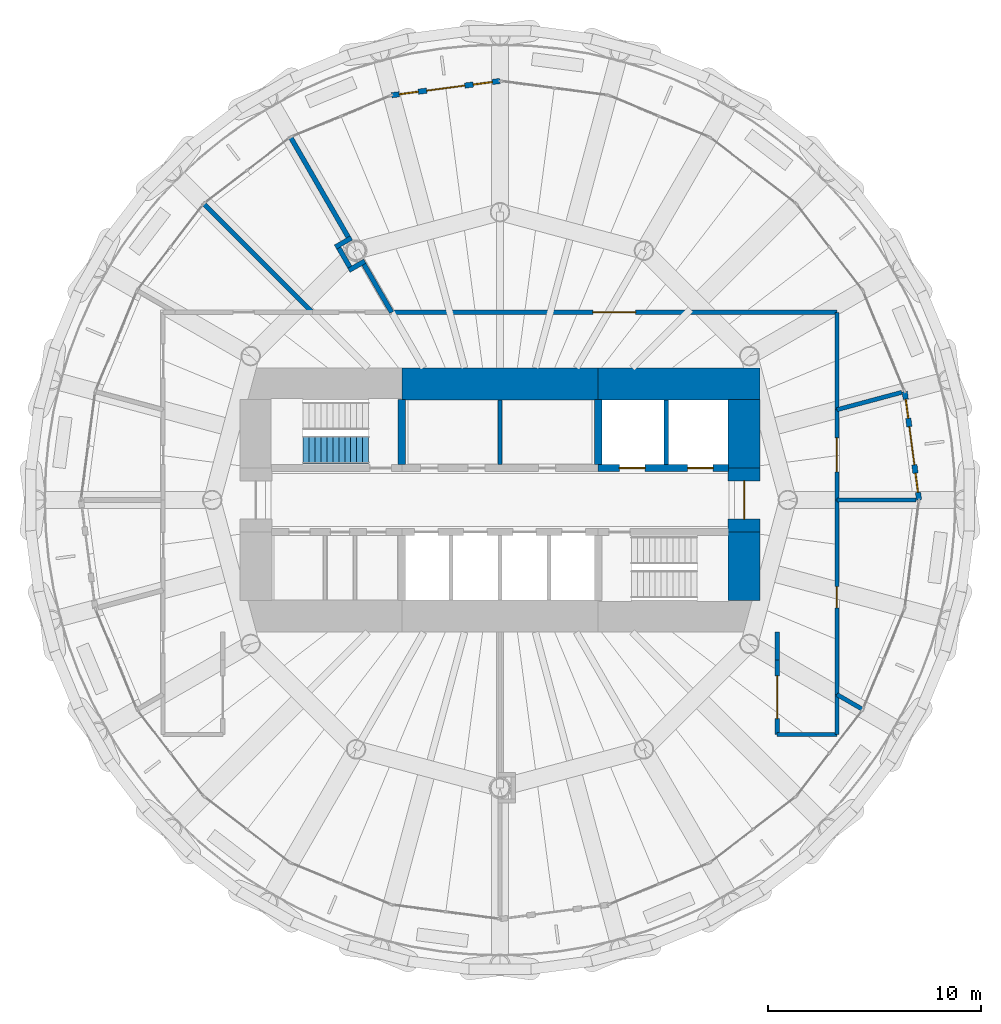
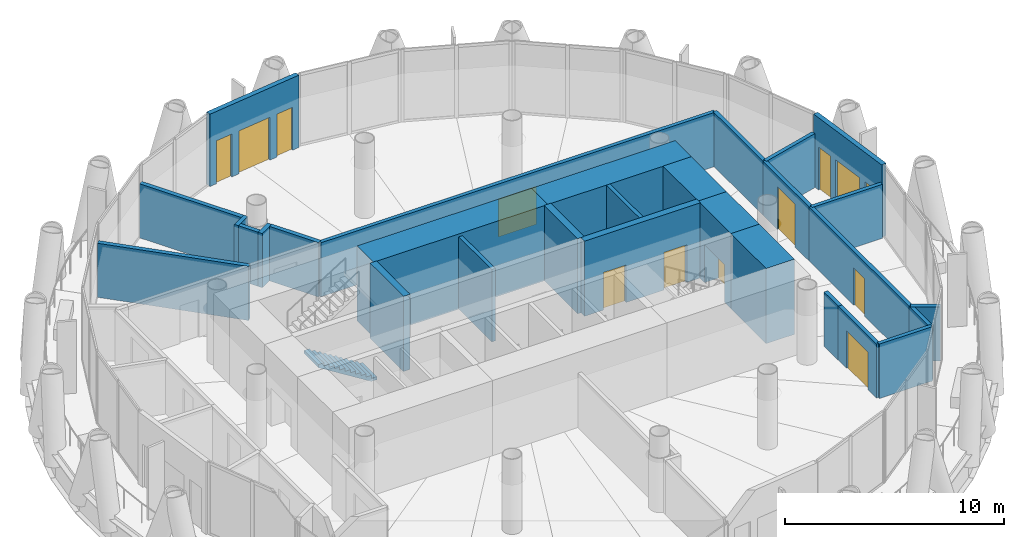
# One storey, part 10 of 15: 29 walls, 9 doors, 4 windows, 1 stair flight, 13 openings, 1 element without a shape of its own.
"""IFC4 building model written with IfcOpenShell, lengths in metres."""

from ifc_helpers import new_model, si_unit, direction, frame, frame_2d, origin, place, context, subcontext, project, spatial, polyline, rectangle, outline, extrude, material, layer, layer_set, type_object, element, fill, aggregate, save


model = new_model("IFC4")

# Units and contexts
model_context = context("Model", 3, precision=1e-05, world=origin(), true_north=direction((0.0, 1.0)))
body_context = subcontext(model_context, "Body", "Model", "MODEL_VIEW")
ifc_project = project(units=[si_unit("LENGTHUNIT", "METRE"), si_unit("AREAUNIT", "SQUARE_METRE"), si_unit("VOLUMEUNIT", "CUBIC_METRE"), si_unit("PLANEANGLEUNIT", "RADIAN"), si_unit("MASSUNIT", "GRAM", prefix="KILO")], contexts=[model_context])

# Site, building, storey
site_placement = place(None, origin())
site = spatial("IfcSite", under=ifc_project, at=site_placement, CompositionType="ELEMENT")
building_placement = place(site_placement, origin())
building = spatial("IfcBuilding", under=site, at=building_placement, Name="Qaws Media Tower", CompositionType="ELEMENT")
storey_placement = place(building_placement, frame((0.0, 0.0, 257.0)))
storey = spatial("IfcBuildingStorey", under=building, at=storey_placement, Name="L59", CompositionType="ELEMENT", Elevation=257.0)

# Walls
ifc_material_1 = material(Name="Twin metal stud frames, two layers gypsum board each side, insulated, Rw 55", Category="gypsum")
ifc_layer_1 = layer(ifc_material_1, 0.22509765625)
ifc_layer_set_1 = layer_set([ifc_layer_1], Name="Acoustic twin-stud partition 225 Rw 55")
wall_type_1 = type_object("IfcWallType", Name="Acoustic twin-stud partition 225 Rw 55", PredefinedType="PARTITIONING", material=ifc_layer_set_1)
wall_1_placement = place(storey_placement, frame((53.662109375, 61.202392578125, 0.0), z_axis=(0.0, 0.0, 1.0), x_axis=(-0.866044474677, -0.49996696679, 0.0)))
element("IfcWall", 1, at=wall_1_placement, inside=storey, type_object=wall_type_1, Name="W103 IW6 partition return L59", PredefinedType="PARTITIONING", context=body_context, shape_type="SweptSolid", body=[
    extrude(rectangle(XDim=0.8642578125, YDim=0.22509765625, at=frame_2d((0.43212890625, 0.0))), origin(), (0.0, 0.0, 1.0), 3.02001953125),
])
wall_2_placement = place(storey_placement, frame((53.03271484375, 62.292724609375, 0.0), z_axis=(0.0, 0.0, 1.0), x_axis=(-0.866115056249, -0.499844685217, 0.0)))
element("IfcWall", 2, at=wall_2_placement, inside=storey, type_object=wall_type_1, Name="W102 IW6 partition return L59", PredefinedType="PARTITIONING", context=body_context, shape_type="SweptSolid", body=[
    extrude(rectangle(XDim=0.864501953125, YDim=0.22509765625, at=frame_2d((0.43212890625, 0.0))), origin(), (0.0, 0.0, 1.0), 3.02001953125),
])
wall_3_placement = place(storey_placement, frame((52.95458984375, 60.923828125, 0.0), z_axis=(0.0, 0.0, 1.0), x_axis=(-0.499872348719, 0.866099090743, 0.0)))
element("IfcWall", 3, at=wall_3_placement, inside=storey, type_object=wall_type_1, Name="W101 IW6 partition return L59", PredefinedType="PARTITIONING", context=body_context, shape_type="SweptSolid", body=[
    extrude(rectangle(XDim=1.033935546875, YDim=0.22509765625, at=frame_2d((0.51708984375, 0.0))), origin(), (0.0, 0.0, 1.0), 3.02001953125),
])
wall_4_placement = place(storey_placement, frame((54.919921875, 58.798828125, 0.0), z_axis=(0.0, 0.0, 1.0), x_axis=(-0.499939380126, 0.866060399857, 0.0)))
element("IfcWall", 4, at=wall_4_placement, inside=storey, type_object=wall_type_1, Name="W096 IW6 partition L59", PredefinedType="PARTITIONING", context=body_context, shape_type="SweptSolid", body=[
    extrude(rectangle(XDim=2.597900390625, YDim=0.22509765625, at=frame_2d((1.298828125, 0.0))), origin(), (0.0, 0.0, 1.0), 3.0400390625),
])
wall_5_placement = place(storey_placement, frame((52.87890625, 62.333984375, 0.0), z_axis=(0.0, 0.0, 1.0), x_axis=(-0.499969169717, 0.866043202925, 0.0)))
element("IfcWall", 5, at=wall_5_placement, inside=storey, type_object=wall_type_1, Name="W100 IW6 partition L59", PredefinedType="PARTITIONING", context=body_context, shape_type="SweptSolid", body=[
    extrude(rectangle(XDim=5.367919921875, YDim=0.22509765625, at=frame_2d((2.68408203125, 0.0))), origin(), (0.0, 0.0, 1.0), 3.02001953125),
])
wall_6_placement = place(storey_placement, frame((51.20361328125, 58.79638671875, 0.0), z_axis=(0.0, 0.0, 1.0), x_axis=(-0.707106781187, 0.707106781187, 0.0)))
element("IfcWall", 6, at=wall_6_placement, inside=storey, type_object=wall_type_1, Name="W099 IW6 partition L59", PredefinedType="PARTITIONING", context=body_context, shape_type="SweptSolid", body=[
    extrude(rectangle(XDim=7.170166015625, YDim=0.22509765625, at=frame_2d((3.5849609375, 0.0))), origin(), (0.0, 0.0, 1.0), 3.02001953125),
])

# Wall, openings, door, windows
ifc_material_2 = material(Name="Precast concrete, exposed finish", Category="concrete")
ifc_layer_2 = layer(ifc_material_2, 0.25)
ifc_layer_set_2 = layer_set([ifc_layer_2], Name="Balcony door wall 250")
wall_type_2 = type_object("IfcWallType", Name="Balcony door wall 250", PredefinedType="SOLIDWALL", material=ifc_layer_set_2)
wall_7_placement = place(storey_placement, frame((79.64990234375, 50.0, 0.0), z_axis=(0.0, 0.0, 1.0), x_axis=(-0.130504990773, 0.991447652367, 0.0)))
wall_7 = element("IfcWall", 7, at=wall_7_placement, inside=storey, type_object=wall_type_2, Name="W275 EW1 balcony door wall L59-01", PredefinedType="SOLIDWALL", context=body_context, shape_type="SweptSolid", body=[
    extrude(rectangle(XDim=5.129638671875, YDim=0.25, at=frame_2d((2.56494140625, 0.0))), origin(), (0.0, 0.0, 1.0), 4.0400390625),
])
opening_1_placement = place(wall_7_placement, frame((1.664794921875, 0.0, 0.0)))
opening_1 = element("IfcOpeningElement", 8, at=opening_1_placement, cuts=wall_7, Name="Opening D7", PredefinedType="OPENING", context=body_context, shape_type="SweptSolid", body=[
    extrude(rectangle(XDim=1.800048828125, YDim=2.39990234375, at=frame_2d((0.89990234375, 1.199951171875))), frame((0.0, 0.135009765625, 0.0), z_axis=(0.0, -1.0, 0.0), x_axis=(1.0, 0.0, 0.0)), (0.0, 0.0, 1.0), 0.27001953125),
])
opening_2_placement = place(wall_7_placement, frame((0.36474609375, 0.0, 0.0)))
opening_2 = element("IfcOpeningElement", 9, at=opening_2_placement, cuts=wall_7, Name="Opening W7", PredefinedType="OPENING", context=body_context, shape_type="SweptSolid", body=[
    extrude(rectangle(XDim=0.89990234375, YDim=2.39990234375, at=frame_2d((0.449951171875, 1.199951171875))), frame((0.0, 0.135009765625, 0.0), z_axis=(0.0, -1.0, 0.0), x_axis=(1.0, 0.0, 0.0)), (0.0, 0.0, 1.0), 0.27001953125),
])
opening_3_placement = place(wall_7_placement, frame((3.86474609375, 0.0, 0.0)))
opening_3 = element("IfcOpeningElement", 10, at=opening_3_placement, cuts=wall_7, Name="Opening W7", PredefinedType="OPENING", context=body_context, shape_type="SweptSolid", body=[
    extrude(rectangle(XDim=0.89990234375, YDim=2.39990234375, at=frame_2d((0.449951171875, 1.199951171875))), frame((0.0, 0.135009765625, 0.0), z_axis=(0.0, -1.0, 0.0), x_axis=(1.0, 0.0, 0.0)), (0.0, 0.0, 1.0), 0.27001953125),
])
ifc_material_3 = material(Name="Aluminium and clear glass", Category="aluminium")
door_type_1 = type_object("IfcDoorType", Name="Balcony door pair 1800", OperationType="DOUBLE_DOOR_SLIDING", PredefinedType="DOOR", material=ifc_material_3)
door_1_placement = place(opening_1_placement, origin())
door_1 = element("IfcDoor", 11, at=door_1_placement, inside=storey, type_object=door_type_1, Name="D7 balcony door L59-01 in wall W275", OperationType="DOUBLE_DOOR_SLIDING", OverallHeight=2.39990234375, OverallWidth=1.800048828125, PredefinedType="DOOR", context=body_context, shape_type="SweptSolid", body=[
    extrude(rectangle(XDim=1.800048828125, YDim=2.39990234375, at=frame_2d((0.89990234375, 1.199951171875))), frame((0.0, 0.02490234375, 0.0), z_axis=(0.0, -1.0, 0.0), x_axis=(1.0, 0.0, 0.0)), (0.0, 0.0, 1.0), 0.050048828125),
])
fill(opening_1, door_1)
ifc_material_4 = material(Name="Aluminium and clear glass", Category="aluminium")
window_type = type_object("IfcWindowType", Name="Balcony side window 900", PartitioningType="SINGLE_PANEL", PredefinedType="WINDOW", material=ifc_material_4)
window_1_placement = place(opening_2_placement, origin())
window_1 = element("IfcWindow", 12, at=window_1_placement, inside=storey, type_object=window_type, Name="W1 balcony side light L59-01L", OverallHeight=2.39990234375, OverallWidth=0.89990234375, PartitioningType="SINGLE_PANEL", PredefinedType="WINDOW", context=body_context, shape_type="SweptSolid", body=[
    extrude(rectangle(XDim=0.89990234375, YDim=2.39990234375, at=frame_2d((0.449951171875, 1.199951171875))), frame((0.0, 0.030029296875, 0.0), z_axis=(0.0, -1.0, 0.0), x_axis=(1.0, 0.0, 0.0)), (0.0, 0.0, 1.0), 0.06005859375),
])
fill(opening_2, window_1)
window_2_placement = place(opening_3_placement, origin())
window_2 = element("IfcWindow", 13, at=window_2_placement, inside=storey, type_object=window_type, Name="W1 balcony side light L59-01R", OverallHeight=2.39990234375, OverallWidth=0.89990234375, PartitioningType="SINGLE_PANEL", PredefinedType="WINDOW", context=body_context, shape_type="SweptSolid", body=[
    extrude(rectangle(XDim=0.89990234375, YDim=2.39990234375, at=frame_2d((0.449951171875, 1.199951171875))), frame((0.0, 0.030029296875, 0.0), z_axis=(0.0, -1.0, 0.0), x_axis=(1.0, 0.0, 0.0)), (0.0, 0.0, 1.0), 0.06005859375),
])
fill(opening_3, window_2)

wall_8_placement = place(storey_placement, frame((60.0, 69.64990234375, 0.0), z_axis=(0.0, 0.0, 1.0), x_axis=(-0.991447652367, -0.130504990773, 0.0)))
wall_8 = element("IfcWall", 14, at=wall_8_placement, inside=storey, type_object=wall_type_2, Name="W274 EW1 balcony door wall L59-07", PredefinedType="SOLIDWALL", context=body_context, shape_type="SweptSolid", body=[
    extrude(rectangle(XDim=5.129638671875, YDim=0.25, at=frame_2d((2.56494140625, 0.0))), origin(), (0.0, 0.0, 1.0), 4.0400390625),
])
opening_4_placement = place(wall_8_placement, frame((1.664794921875, 0.0, 0.0)))
opening_4 = element("IfcOpeningElement", 15, at=opening_4_placement, cuts=wall_8, Name="Opening D7", PredefinedType="OPENING", context=body_context, shape_type="SweptSolid", body=[
    extrude(rectangle(XDim=1.800048828125, YDim=2.39990234375, at=frame_2d((0.89990234375, 1.199951171875))), frame((0.0, 0.135009765625, 0.0), z_axis=(0.0, -1.0, 0.0), x_axis=(1.0, 0.0, 0.0)), (0.0, 0.0, 1.0), 0.27001953125),
])
opening_5_placement = place(wall_8_placement, frame((0.36474609375, 0.0, 0.0)))
opening_5 = element("IfcOpeningElement", 16, at=opening_5_placement, cuts=wall_8, Name="Opening W7", PredefinedType="OPENING", context=body_context, shape_type="SweptSolid", body=[
    extrude(rectangle(XDim=0.89990234375, YDim=2.39990234375, at=frame_2d((0.449951171875, 1.199951171875))), frame((0.0, 0.135009765625, 0.0), z_axis=(0.0, -1.0, 0.0), x_axis=(1.0, 0.0, 0.0)), (0.0, 0.0, 1.0), 0.27001953125),
])
opening_6_placement = place(wall_8_placement, frame((3.86474609375, 0.0, 0.0)))
opening_6 = element("IfcOpeningElement", 17, at=opening_6_placement, cuts=wall_8, Name="Opening W7", PredefinedType="OPENING", context=body_context, shape_type="SweptSolid", body=[
    extrude(rectangle(XDim=0.89990234375, YDim=2.39990234375, at=frame_2d((0.449951171875, 1.199951171875))), frame((0.0, 0.135009765625, 0.0), z_axis=(0.0, -1.0, 0.0), x_axis=(1.0, 0.0, 0.0)), (0.0, 0.0, 1.0), 0.27001953125),
])
door_2_placement = place(opening_4_placement, origin())
door_2 = element("IfcDoor", 18, at=door_2_placement, inside=storey, type_object=door_type_1, Name="D7 balcony door L59-07 in wall W274", OperationType="DOUBLE_DOOR_SLIDING", OverallHeight=2.39990234375, OverallWidth=1.800048828125, PredefinedType="DOOR", context=body_context, shape_type="SweptSolid", body=[
    extrude(rectangle(XDim=1.800048828125, YDim=2.39990234375, at=frame_2d((0.89990234375, 1.199951171875))), frame((0.0, 0.02490234375, 0.0), z_axis=(0.0, -1.0, 0.0), x_axis=(1.0, 0.0, 0.0)), (0.0, 0.0, 1.0), 0.050048828125),
])
fill(opening_4, door_2)
window_3_placement = place(opening_5_placement, origin())
window_3 = element("IfcWindow", 19, at=window_3_placement, inside=storey, type_object=window_type, Name="W1 balcony side light L59-07L", OverallHeight=2.39990234375, OverallWidth=0.89990234375, PartitioningType="SINGLE_PANEL", PredefinedType="WINDOW", context=body_context, shape_type="SweptSolid", body=[
    extrude(rectangle(XDim=0.89990234375, YDim=2.39990234375, at=frame_2d((0.449951171875, 1.199951171875))), frame((0.0, 0.030029296875, 0.0), z_axis=(0.0, -1.0, 0.0), x_axis=(1.0, 0.0, 0.0)), (0.0, 0.0, 1.0), 0.06005859375),
])
fill(opening_5, window_3)
window_4_placement = place(opening_6_placement, origin())
window_4 = element("IfcWindow", 20, at=window_4_placement, inside=storey, type_object=window_type, Name="W1 balcony side light L59-07R", OverallHeight=2.39990234375, OverallWidth=0.89990234375, PartitioningType="SINGLE_PANEL", PredefinedType="WINDOW", context=body_context, shape_type="SweptSolid", body=[
    extrude(rectangle(XDim=0.89990234375, YDim=2.39990234375, at=frame_2d((0.449951171875, 1.199951171875))), frame((0.0, 0.030029296875, 0.0), z_axis=(0.0, -1.0, 0.0), x_axis=(1.0, 0.0, 0.0)), (0.0, 0.0, 1.0), 0.06005859375),
])
fill(opening_6, window_4)

# Wall, openings, doors
ifc_material_5 = material(Name="Concrete C60/75", Category="concrete")
ifc_layer_3 = layer(ifc_material_5, 0.35009765625)
ifc_layer_set_3 = layer_set([ifc_layer_3], Name="Core inner wall 350")
wall_type_3 = type_object("IfcWallType", Name="Core inner wall 350", PredefinedType="SHEAR", material=ifc_layer_set_3)
wall_9_placement = place(storey_placement, frame((64.60009765625, 51.5, 0.0), z_axis=(0.0, 0.0, 1.0), x_axis=(1.0, 0.0, 0.0)))
wall_9 = element("IfcWall", 21, at=wall_9_placement, inside=storey, type_object=wall_type_3, Name="W308 SW5 core wall SPNE L59", PredefinedType="SHEAR", context=body_context, shape_type="SweptSolid", body=[
    extrude(rectangle(XDim=6.119873046875, YDim=0.35009765625, at=frame_2d((3.06005859375, 0.0))), origin(), (0.0, 0.0, 1.0), 4.199951171875),
])
opening_7_placement = place(wall_9_placement, frame((1.0, 0.0, 0.0)))
opening_7 = element("IfcOpeningElement", 22, at=opening_7_placement, cuts=wall_9, Name="Opening LD2", PredefinedType="OPENING", context=body_context, shape_type="SweptSolid", body=[
    extrude(rectangle(XDim=1.199951171875, YDim=2.10009765625, at=frame_2d((0.60009765625, 1.050048828125))), frame((0.0, 0.18505859375, 0.0), z_axis=(0.0, -1.0, 0.0), x_axis=(1.0, 0.0, 0.0)), (0.0, 0.0, 1.0), 0.3701171875),
])
opening_8_placement = place(wall_9_placement, frame((4.199951171875, 0.0, 0.0)))
opening_8 = element("IfcOpeningElement", 23, at=opening_8_placement, cuts=wall_9, Name="Opening LD2", PredefinedType="OPENING", context=body_context, shape_type="SweptSolid", body=[
    extrude(rectangle(XDim=1.199951171875, YDim=2.10009765625, at=frame_2d((0.60009765625, 1.050048828125))), frame((0.0, 0.18505859375, 0.0), z_axis=(0.0, -1.0, 0.0), x_axis=(1.0, 0.0, 0.0)), (0.0, 0.0, 1.0), 0.3701171875),
])
ifc_material_6 = material(Name="Steel, fire rated", Category="steel")
door_type_2 = type_object("IfcDoorType", Name="Lift landing door 1200", OperationType="SLIDING_TO_LEFT", PredefinedType="DOOR", material=ifc_material_6)
door_3_placement = place(opening_7_placement, origin())
door_3 = element("IfcDoor", 24, at=door_3_placement, inside=storey, type_object=door_type_2, Name="FL1 landing door L59 in wall W308", OperationType="SLIDING_TO_LEFT", OverallHeight=2.10009765625, OverallWidth=1.199951171875, PredefinedType="DOOR", context=body_context, shape_type="SweptSolid", body=[
    extrude(rectangle(XDim=1.199951171875, YDim=2.10009765625, at=frame_2d((0.60009765625, 1.050048828125))), frame((0.0, 0.02490234375, 0.0), z_axis=(0.0, -1.0, 0.0), x_axis=(1.0, 0.0, 0.0)), (0.0, 0.0, 1.0), 0.050048828125),
])
fill(opening_7, door_3)
door_4_placement = place(opening_8_placement, origin())
door_4 = element("IfcDoor", 25, at=door_4_placement, inside=storey, type_object=door_type_2, Name="FL2 landing door L59 in wall W308", OperationType="SLIDING_TO_LEFT", OverallHeight=2.10009765625, OverallWidth=1.199951171875, PredefinedType="DOOR", context=body_context, shape_type="SweptSolid", body=[
    extrude(rectangle(XDim=1.199951171875, YDim=2.10009765625, at=frame_2d((0.60009765625, 1.050048828125))), frame((0.0, 0.02490234375, 0.0), z_axis=(0.0, -1.0, 0.0), x_axis=(1.0, 0.0, 0.0)), (0.0, 0.0, 1.0), 0.050048828125),
])
fill(opening_8, door_4)

# Walls
for number, where, z_axis, x_axis, name in (
    (26, (55.39990234375, 51.655029296875, 0.0), (0.0, 0.0, 1.0), (0.0, 1.0, 0.0), "W305 SW5 core wall XNW L59"),
    (27, (64.60009765625, 51.655029296875, 0.0), (0.0, 0.0, 1.0), (0.0, 1.0, 0.0), "W309 SW5 core wall XNE L59"),
):
    element("IfcWall", number, at=place(storey_placement, frame(where, z_axis=z_axis, x_axis=x_axis)), inside=storey, type_object=wall_type_3, Name=name, PredefinedType="SHEAR", context=body_context, shape_type="SweptSolid", body=[
        extrude(rectangle(XDim=3.06494140625, YDim=0.35009765625, at=frame_2d((1.532470703125, 0.0))), origin(), (0.0, 0.0, 1.0), 4.199951171875),
    ])
ifc_material_7 = material(Name="Concrete C60/75", Category="concrete")
ifc_layer_4 = layer(ifc_material_7, 1.5)
ifc_layer_set_4 = layer_set([ifc_layer_4], Name="Core wall 1500")
wall_type_4 = type_object("IfcWallType", Name="Core wall 1500", PredefinedType="SHEAR", material=ifc_layer_set_4)
wall_10_placement = place(storey_placement, frame((55.39990234375, 55.449951171875, 0.0), z_axis=(0.0, 0.0, 1.0), x_axis=(1.0, 0.0, 0.0)))
element("IfcWall", 28, at=wall_10_placement, inside=storey, type_object=wall_type_4, Name="W373 SW13 core wall N L59", PredefinedType="SHEAR", context=body_context, shape_type="SweptSolid", body=[
    extrude(rectangle(XDim=9.2001953125, YDim=1.5, at=frame_2d((4.60009765625, 0.0))), origin(), (0.0, 0.0, 1.0), 4.199951171875),
])
wall_11_placement = place(storey_placement, frame((64.60009765625, 55.449951171875, 0.0), z_axis=(0.0, 0.0, 1.0), x_axis=(1.0, 0.0, 0.0)))
element("IfcWall", 29, at=wall_11_placement, inside=storey, type_object=wall_type_4, Name="W382 SW13 core wall NE L59", PredefinedType="SHEAR", context=body_context, shape_type="SweptSolid", body=[
    extrude(rectangle(XDim=7.599853515625, YDim=1.5, at=frame_2d((3.7998046875, 0.0))), origin(), (0.0, 0.0, 1.0), 4.199951171875),
])
wall_12_placement = place(storey_placement, frame((71.449951171875, 45.280029296875, 0.0), z_axis=(0.0, 0.0, 1.0), x_axis=(0.0, 1.0, 0.0)))
element("IfcWall", 30, at=wall_12_placement, inside=storey, type_object=wall_type_4, Name="W383 SW13 core wall ES L59", PredefinedType="SHEAR", context=body_context, shape_type="SweptSolid", body=[
    extrude(rectangle(XDim=3.219970703125, YDim=1.5, at=frame_2d((1.60986328125, 0.0))), origin(), (0.0, 0.0, 1.0), 4.199951171875),
])

# Wall, opening, door
wall_13_placement = place(storey_placement, frame((71.449951171875, 48.5, 0.0), z_axis=(0.0, 0.0, 1.0), x_axis=(0.0, 1.0, 0.0)))
wall_13 = element("IfcWall", 31, at=wall_13_placement, inside=storey, type_object=wall_type_4, Name="W384 SW13 core wall E L59", PredefinedType="SHEAR", context=body_context, shape_type="SweptSolid", body=[
    extrude(rectangle(XDim=3.0, YDim=1.5, at=frame_2d((1.5, 0.0))), origin(), (0.0, 0.0, 1.0), 4.199951171875),
])
opening_9_placement = place(wall_13_placement, frame((0.60009765625, 0.0, 0.0)))
opening_9 = element("IfcOpeningElement", 32, at=opening_9_placement, cuts=wall_13, Name="Opening D2", PredefinedType="OPENING", context=body_context, shape_type="SweptSolid", body=[
    extrude(rectangle(XDim=1.800048828125, YDim=2.10009765625, at=frame_2d((0.89990234375, 1.050048828125))), frame((0.0, 0.760009765625, 0.0), z_axis=(0.0, -1.0, 0.0), x_axis=(1.0, 0.0, 0.0)), (0.0, 0.0, 1.0), 1.52001953125),
])
ifc_material_8 = material(Name="Steel and glass, fire rated", Category="steel")
door_type_3 = type_object("IfcDoorType", Name="Lobby door pair 1800 FD60", OperationType="DOUBLE_DOOR_DOUBLE_SWING", PredefinedType="DOOR", material=ifc_material_8)
door_5_placement = place(opening_9_placement, origin())
door_5 = element("IfcDoor", 33, at=door_5_placement, inside=storey, type_object=door_type_3, Name="D2 core lobby door E L59 in wall W384", OperationType="DOUBLE_DOOR_DOUBLE_SWING", OverallHeight=2.10009765625, OverallWidth=1.800048828125, PredefinedType="DOOR", context=body_context, shape_type="SweptSolid", body=[
    extrude(rectangle(XDim=1.800048828125, YDim=2.10009765625, at=frame_2d((0.89990234375, 1.050048828125))), frame((0.0, 0.02490234375, 0.0), z_axis=(0.0, -1.0, 0.0), x_axis=(1.0, 0.0, 0.0)), (0.0, 0.0, 1.0), 0.050048828125),
])
fill(opening_9, door_5)

# Wall
wall_14_placement = place(storey_placement, frame((71.449951171875, 51.5, 0.0), z_axis=(0.0, 0.0, 1.0), x_axis=(0.0, 1.0, 0.0)))
element("IfcWall", 34, at=wall_14_placement, inside=storey, type_object=wall_type_4, Name="W385 SW13 core wall EN L59", PredefinedType="SHEAR", context=body_context, shape_type="SweptSolid", body=[
    extrude(rectangle(XDim=3.219970703125, YDim=1.5, at=frame_2d((1.60986328125, 0.0))), origin(), (0.0, 0.0, 1.0), 4.199951171875),
])

# Wall, opening, door
ifc_material_9 = material(Name="Gypsum board on galvanised metal studs, acoustic double stud, deflection head", Category="gypsum")
ifc_layer_5 = layer(ifc_material_9, 0.199951171875)
ifc_layer_set_5 = layer_set([ifc_layer_5], Name="Room partition 200")
wall_type_5 = type_object("IfcWallType", Name="Room partition 200", PredefinedType="PARTITIONING", material=ifc_layer_set_5)
wall_15_placement = place(storey_placement, frame((54.919189453125, 58.800048828125, 0.0), z_axis=(0.0, 0.0, 1.0), x_axis=(1.0, 0.0, 0.0)))
wall_15 = element("IfcWall", 35, at=wall_15_placement, inside=storey, type_object=wall_type_5, Name="W1693 IW3 partition L59", PredefinedType="PARTITIONING", context=body_context, shape_type="SweptSolid", body=[
    extrude(rectangle(XDim=20.880859375, YDim=0.199951171875, at=frame_2d((10.4404296875, 0.0))), origin(), (0.0, 0.0, 1.0), 3.02001953125),
])
opening_10_placement = place(wall_15_placement, frame((9.440185546875, 0.0, 0.0)))
opening_10 = element("IfcOpeningElement", 36, at=opening_10_placement, cuts=wall_15, Name="Opening D6", PredefinedType="OPENING", context=body_context, shape_type="SweptSolid", body=[
    extrude(rectangle(XDim=2.0, YDim=2.10009765625, at=frame_2d((1.0, 1.050048828125))), frame((0.0, 0.10986328125, 0.0), z_axis=(0.0, -1.0, 0.0), x_axis=(1.0, 0.0, 0.0)), (0.0, 0.0, 1.0), 0.219970703125),
])
ifc_material_10 = material(Name="Steel, acoustic, fire rated", Category="steel")
door_type_4 = type_object("IfcDoorType", Name="Room door pair 2000", OperationType="DOUBLE_DOOR_DOUBLE_SWING", PredefinedType="DOOR", material=ifc_material_10)
door_6_placement = place(opening_10_placement, origin())
door_6 = element("IfcDoor", 37, at=door_6_placement, inside=storey, type_object=door_type_4, Name="D6 Bureau newsroom door L59 in wall W1693", OperationType="DOUBLE_DOOR_DOUBLE_SWING", OverallHeight=2.10009765625, OverallWidth=2.0, PredefinedType="DOOR", context=body_context, shape_type="SweptSolid", body=[
    extrude(rectangle(XDim=2.0, YDim=2.10009765625, at=frame_2d((1.0, 1.050048828125))), frame((0.0, 0.02490234375, 0.0), z_axis=(0.0, -1.0, 0.0), x_axis=(1.0, 0.0, 0.0)), (0.0, 0.0, 1.0), 0.050048828125),
])
fill(opening_10, door_6)

# Wall
wall_16_placement = place(storey_placement, frame((75.800048828125, 58.800048828125, 0.0), z_axis=(0.0, 0.0, 1.0), x_axis=(0.0, -1.0, 0.0)))
element("IfcWall", 38, at=wall_16_placement, inside=storey, type_object=wall_type_5, Name="W1625 IW3 partition L59", PredefinedType="PARTITIONING", context=body_context, shape_type="SweptSolid", body=[
    extrude(rectangle(XDim=4.56640625, YDim=0.199951171875, at=frame_2d((2.283203125, 0.0))), origin(), (0.0, 0.0, 1.0), 3.02001953125),
])

# Wall, opening, door
wall_17_placement = place(storey_placement, frame((75.800048828125, 54.233642578125, 0.0), z_axis=(0.0, 0.0, 1.0), x_axis=(0.0, -1.0, 0.0)))
wall_17 = element("IfcWall", 39, at=wall_17_placement, inside=storey, type_object=wall_type_5, Name="W1624 IW3 partition L59", PredefinedType="PARTITIONING", context=body_context, shape_type="SweptSolid", body=[
    extrude(rectangle(XDim=4.233642578125, YDim=0.199951171875, at=frame_2d((2.11669921875, 0.0))), origin(), (0.0, 0.0, 1.0), 3.02001953125),
])
opening_11_placement = place(wall_17_placement, frame((1.31689453125, 0.0, 0.0)))
opening_11 = element("IfcOpeningElement", 40, at=opening_11_placement, cuts=wall_17, Name="Opening D16", PredefinedType="OPENING", context=body_context, shape_type="SweptSolid", body=[
    extrude(rectangle(XDim=1.60009765625, YDim=2.39990234375, at=frame_2d((0.800048828125, 1.199951171875))), frame((0.0, 0.10986328125, 0.0), z_axis=(0.0, -1.0, 0.0), x_axis=(1.0, 0.0, 0.0)), (0.0, 0.0, 1.0), 0.219970703125),
])
ifc_material_11 = material(Name="Glazed aluminium, fire rated", Category="aluminium")
door_type_5 = type_object("IfcDoorType", Name="Tenant entrance door pair 1600x2400", OperationType="DOUBLE_DOOR_DOUBLE_SWING", PredefinedType="DOOR", material=ifc_material_11)
door_7_placement = place(opening_11_placement, origin())
door_7 = element("IfcDoor", 41, at=door_7_placement, inside=storey, type_object=door_type_5, Name="D16 Bureau reception door L59 in wall W1624", OperationType="DOUBLE_DOOR_DOUBLE_SWING", OverallHeight=2.39990234375, OverallWidth=1.60009765625, PredefinedType="DOOR", context=body_context, shape_type="SweptSolid", body=[
    extrude(rectangle(XDim=1.60009765625, YDim=2.39990234375, at=frame_2d((0.800048828125, 1.199951171875))), frame((0.0, 0.02490234375, 0.0), z_axis=(0.0, -1.0, 0.0), x_axis=(1.0, 0.0, 0.0)), (0.0, 0.0, 1.0), 0.050048828125),
])
fill(opening_11, door_7)

wall_18_placement = place(storey_placement, frame((75.800048828125, 50.0, 0.0), z_axis=(0.0, 0.0, 1.0), x_axis=(0.0, -1.0, 0.0)))
wall_18 = element("IfcWall", 42, at=wall_18_placement, inside=storey, type_object=wall_type_5, Name="W1697 IW3 partition L59", PredefinedType="PARTITIONING", context=body_context, shape_type="SweptSolid", body=[
    extrude(rectangle(XDim=9.1220703125, YDim=0.199951171875, at=frame_2d((4.56103515625, 0.0))), origin(), (0.0, 0.0, 1.0), 3.02001953125),
])
opening_12_placement = place(wall_18_placement, frame((4.06103515625, 0.0, 0.0)))
opening_12 = element("IfcOpeningElement", 43, at=opening_12_placement, cuts=wall_18, Name="Opening D5", PredefinedType="OPENING", context=body_context, shape_type="SweptSolid", body=[
    extrude(rectangle(XDim=1.0, YDim=2.10009765625, at=frame_2d((0.5, 1.050048828125))), frame((0.0, 0.10986328125, 0.0), z_axis=(0.0, -1.0, 0.0), x_axis=(1.0, 0.0, 0.0)), (0.0, 0.0, 1.0), 0.219970703125),
])
ifc_material_12 = material(Name="Timber veneered, acoustic seal", Category="wood")
door_type_6 = type_object("IfcDoorType", Name="Room door 1000", OperationType="SINGLE_SWING_LEFT", PredefinedType="DOOR", material=ifc_material_12)
door_8_placement = place(opening_12_placement, origin())
door_8 = element("IfcDoor", 44, at=door_8_placement, inside=storey, type_object=door_type_6, Name="D5 Bureau newsroom door L59 in wall W1697", OperationType="SINGLE_SWING_LEFT", OverallHeight=2.10009765625, OverallWidth=1.0, PredefinedType="DOOR", context=body_context, shape_type="SweptSolid", body=[
    extrude(rectangle(XDim=1.0, YDim=2.10009765625, at=frame_2d((0.5, 1.050048828125))), frame((0.0, 0.02490234375, 0.0), z_axis=(0.0, -1.0, 0.0), x_axis=(1.0, 0.0, 0.0)), (0.0, 0.0, 1.0), 0.050048828125),
])
fill(opening_12, door_8)

# Walls
wall_19_placement = place(storey_placement, frame((75.800048828125, 40.8779296875, 0.0), z_axis=(0.0, 0.0, 1.0), x_axis=(0.0, -1.0, 0.0)))
element("IfcWall", 45, at=wall_19_placement, inside=storey, type_object=wall_type_5, Name="W1621 IW3 partition L59", PredefinedType="PARTITIONING", context=body_context, shape_type="SweptSolid", body=[
    extrude(rectangle(XDim=1.8779296875, YDim=0.199951171875, at=frame_2d((0.93896484375, 0.0))), origin(), (0.0, 0.0, 1.0), 3.02001953125),
])
wall_20_placement = place(storey_placement, frame((75.800048828125, 39.0, 0.0), z_axis=(0.0, 0.0, 1.0), x_axis=(-1.0, 0.0, 0.0)))
element("IfcWall", 46, at=wall_20_placement, inside=storey, type_object=wall_type_5, Name="W1231 IW3 partition L59", PredefinedType="PARTITIONING", context=body_context, shape_type="SweptSolid", body=[
    extrude(rectangle(XDim=2.800048828125, YDim=0.199951171875, at=frame_2d((1.39990234375, 0.0))), origin(), (0.0, 0.0, 1.0), 3.0400390625),
])

# Wall, opening, door
wall_21_placement = place(storey_placement, frame((73.0, 39.0, 0.0), z_axis=(0.0, 0.0, 1.0), x_axis=(0.0, 1.0, 0.0)))
wall_21 = element("IfcWall", 47, at=wall_21_placement, inside=storey, type_object=wall_type_5, Name="W1602 IW3 partition L59", PredefinedType="PARTITIONING", context=body_context, shape_type="SweptSolid", body=[
    extrude(rectangle(XDim=3.494384765625, YDim=0.199951171875, at=frame_2d((1.7470703125, 0.0))), origin(), (0.0, 0.0, 1.0), 3.02001953125),
])
opening_13_placement = place(wall_21_placement, frame((0.747314453125, 0.0, 0.0)))
opening_13 = element("IfcOpeningElement", 48, at=opening_13_placement, cuts=wall_21, Name="Opening D6", PredefinedType="OPENING", context=body_context, shape_type="SweptSolid", body=[
    extrude(rectangle(XDim=2.0, YDim=2.10009765625, at=frame_2d((1.0, 1.050048828125))), frame((0.0, 0.10986328125, 0.0), z_axis=(0.0, -1.0, 0.0), x_axis=(1.0, 0.0, 0.0)), (0.0, 0.0, 1.0), 0.219970703125),
])
door_9_placement = place(opening_13_placement, origin())
door_9 = element("IfcDoor", 49, at=door_9_placement, inside=storey, type_object=door_type_4, Name="D6 Bureau newsroom door L59 in wall W1602", OperationType="DOUBLE_DOOR_DOUBLE_SWING", OverallHeight=2.10009765625, OverallWidth=2.0, PredefinedType="DOOR", context=body_context, shape_type="SweptSolid", body=[
    extrude(rectangle(XDim=2.0, YDim=2.10009765625, at=frame_2d((1.0, 1.050048828125))), frame((0.0, 0.02490234375, 0.0), z_axis=(0.0, -1.0, 0.0), x_axis=(1.0, 0.0, 0.0)), (0.0, 0.0, 1.0), 0.050048828125),
])
fill(opening_13, door_9)

# Walls
wall_22_placement = place(storey_placement, frame((73.0, 42.494384765625, 0.0), z_axis=(0.0, 0.0, 1.0), x_axis=(0.0, 1.0, 0.0)))
element("IfcWall", 50, at=wall_22_placement, inside=storey, type_object=wall_type_5, Name="W1603 IW3 partition L59", PredefinedType="PARTITIONING", context=body_context, shape_type="SweptSolid", body=[
    extrude(rectangle(XDim=1.3056640625, YDim=0.199951171875, at=frame_2d((0.65283203125, 0.0))), origin(), (0.0, 0.0, 1.0), 3.02001953125),
])
wall_23_placement = place(storey_placement, frame((75.800048828125, 50.0, 0.0), z_axis=(0.0, 0.0, 1.0), x_axis=(1.0, 0.0, 0.0)))
element("IfcWall", 51, at=wall_23_placement, inside=storey, type_object=wall_type_5, Name="W1705 IW3 partition L59", PredefinedType="PARTITIONING", context=body_context, shape_type="SweptSolid", body=[
    extrude(rectangle(XDim=3.7099609375, YDim=0.199951171875, at=frame_2d((1.85498046875, 0.0))), origin(), (0.0, 0.0, 1.0), 3.02001953125),
])
wall_24_placement = place(storey_placement, frame((75.802490234375, 54.234375, 0.0), z_axis=(0.0, 0.0, 1.0), x_axis=(0.965934560174, 0.258786447599, 0.0)))
element("IfcWall", 52, at=wall_24_placement, inside=storey, type_object=wall_type_5, Name="W1706 IW3 partition L59", PredefinedType="PARTITIONING", context=body_context, shape_type="SweptSolid", body=[
    extrude(rectangle(XDim=3.150146484375, YDim=0.199951171875, at=frame_2d((1.5751953125, 0.0))), origin(), (0.0, 0.0, 1.0), 3.02001953125),
])
wall_25_placement = place(storey_placement, frame((75.79638671875, 40.8798828125, 0.0), z_axis=(0.0, 0.0, 1.0), x_axis=(0.86609656662, -0.499876722092, 0.0)))
element("IfcWall", 53, at=wall_25_placement, inside=storey, type_object=wall_type_5, Name="W1704 IW3 partition L59", PredefinedType="PARTITIONING", context=body_context, shape_type="SweptSolid", body=[
    extrude(rectangle(XDim=1.369873046875, YDim=0.199951171875, at=frame_2d((0.68505859375, 0.0))), origin(), (0.0, 0.0, 1.0), 3.02001953125),
])
wall_26_placement = place(storey_placement, frame((60.0, 51.675048828125, 0.0), z_axis=(0.0, 0.0, 1.0), x_axis=(0.0, 1.0, 0.0)))
element("IfcWall", 54, at=wall_26_placement, inside=storey, type_object=wall_type_5, Name="W1695 IW3 core room partition 1 L59", PredefinedType="PARTITIONING", context=body_context, shape_type="SweptSolid", body=[
    extrude(rectangle(XDim=3.02490234375, YDim=0.199951171875, at=frame_2d((1.512451171875, 0.0))), origin(), (0.0, 0.0, 1.0), 4.0400390625),
])
ifc_material_13 = material(Name="Fire-rated gypsum board shaft wall on galvanised metal studs, deflection head", Category="gypsum")
ifc_layer_6 = layer(ifc_material_13, 0.199951171875)
ifc_layer_set_6 = layer_set([ifc_layer_6], Name="Shaft wall 200")
wall_type_6 = type_object("IfcWallType", Name="Shaft wall 200", PredefinedType="PARTITIONING", material=ifc_layer_set_6)
wall_27_placement = place(storey_placement, frame((67.800048828125, 51.675048828125, 0.0), z_axis=(0.0, 0.0, 1.0), x_axis=(0.0, 1.0, 0.0)))
element("IfcWall", 55, at=wall_27_placement, inside=storey, type_object=wall_type_6, Name="W1874 IW1 shaft wall FL L59", PredefinedType="PARTITIONING", context=body_context, shape_type="SweptSolid", body=[
    extrude(rectangle(XDim=3.02490234375, YDim=0.199951171875, at=frame_2d((1.512451171875, 0.0))), origin(), (0.0, 0.0, 1.0), 4.199951171875),
])

# Stair, stair flight
ifc_material_14 = material(Name="Concrete C40/50", Category="concrete")
stair_type = type_object("IfcStairType", Name="Exit stair", PredefinedType="HALF_TURN_STAIR", material=ifc_material_14)
stair_placement = place(storey_placement, origin())
stair = element("IfcStair", 56, at=stair_placement, inside=storey, type_object=stair_type, Name="S1 exit stair L59", PredefinedType="HALF_TURN_STAIR")
ifc_material_15 = material(Name="Concrete C40/50", Category="concrete")
stair_flight_type = type_object("IfcStairFlightType", Name="Stair flight 1310", PredefinedType="STRAIGHT", material=ifc_material_15)
stair_flight_placement = place(storey_placement, frame((53.840087890625, 52.35498046875, 0.0), z_axis=(0.0, 0.0, 1.0), x_axis=(-1.0, 0.0, 0.0)))
stair_flight = element("IfcStairFlight", 57, at=stair_flight_placement, type_object=stair_flight_type, Name="S1 flight 1", NumberOfRisers=12, NumberOfTreads=11, PredefinedType="STRAIGHT", RiserHeight=0.175, TreadLength=0.28, context=body_context, shape_type="SweptSolid", body=[
    extrude(outline(polyline([(0.0, 0.0), (0.0, 0.175048828125), (0.280029296875, 0.175048828125), (0.280029296875, 0.35009765625), (0.56005859375, 0.35009765625), (0.56005859375, 0.52490234375), (0.840087890625, 0.52490234375), (0.840087890625, 0.699951171875), (1.1201171875, 0.699951171875), (1.1201171875, 0.875), (1.39990234375, 0.875), (1.39990234375, 1.050048828125), (1.679931640625, 1.050048828125), (1.679931640625, 1.22509765625), (1.9599609375, 1.22509765625), (1.9599609375, 1.39990234375), (2.239990234375, 1.39990234375), (2.239990234375, 1.574951171875), (2.52001953125, 1.574951171875), (2.52001953125, 1.75), (2.800048828125, 1.75), (2.800048828125, 1.925048828125), (3.080078125, 1.925048828125), (3.080078125, 2.10009765625), (3.080078125, 1.748291015625), (0.28271484375, 0.0), (0.0, 0.0)])), frame((0.0, 0.655029296875, 0.0), z_axis=(0.0, -1.0, 0.0), x_axis=(1.0, 0.0, 0.0)), (0.0, 0.0, 1.0), 1.31005859375),
])
aggregate(stair, [stair_flight])

save(model, "model.ifc")
